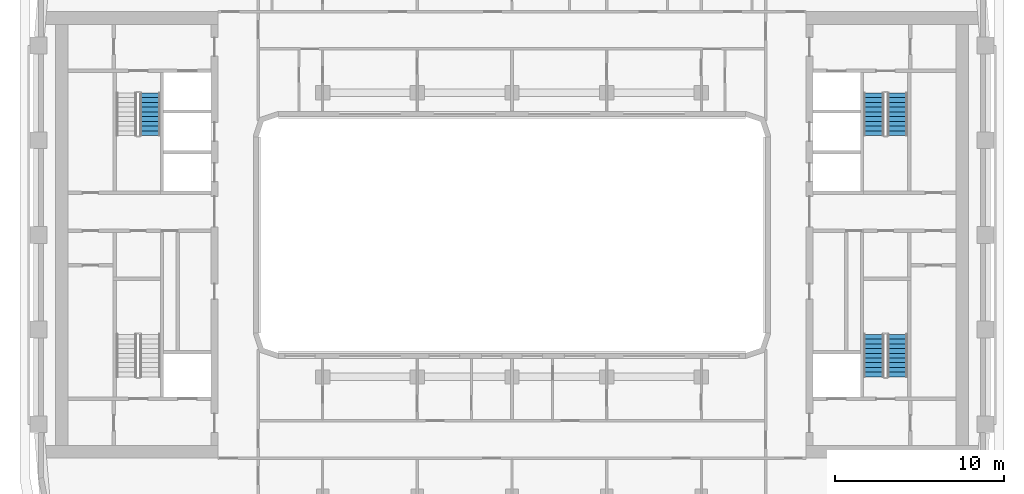
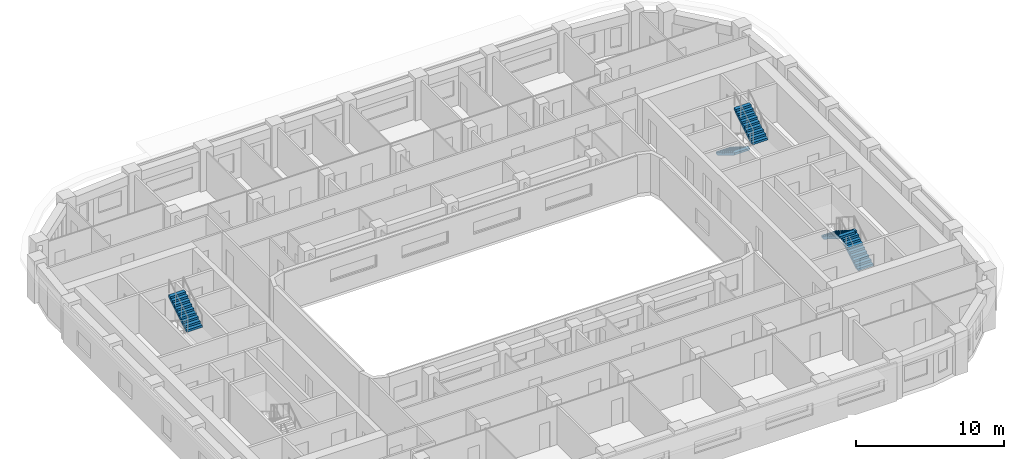
# One storey, part 10 of 22: 5 stair flights, 3 elements without a shape of their own.
"""IFC4 building model written with IfcOpenShell, lengths in metres."""

from ifc_helpers import new_model, si_unit, direction, frame, origin, place, context, subcontext, project, spatial, polyline, outline, extrude, material, type_object, element, aggregate, save


model = new_model("IFC4")

# Units and contexts
model_context = context("Model", 3, precision=1e-05, world=origin(), true_north=direction((0.0, 1.0)))
body_context = subcontext(model_context, "Body", "Model", "MODEL_VIEW")
ifc_project = project(units=[si_unit("LENGTHUNIT", "METRE"), si_unit("AREAUNIT", "SQUARE_METRE"), si_unit("VOLUMEUNIT", "CUBIC_METRE"), si_unit("PLANEANGLEUNIT", "RADIAN"), si_unit("MASSUNIT", "GRAM", prefix="KILO")], contexts=[model_context])

# Site, building, storey
site_placement = place(None, origin())
site = spatial("IfcSite", under=ifc_project, at=site_placement, CompositionType="ELEMENT")
building_placement = place(site_placement, origin())
building = spatial("IfcBuilding", under=site, at=building_placement, Name="Kiln Ring Residences", CompositionType="ELEMENT")
storey_placement = place(building_placement, frame((0.0, 0.0, 171.10009765625)))
storey = spatial("IfcBuildingStorey", under=building, at=storey_placement, Name="L44", CompositionType="ELEMENT", Elevation=171.10009765625)

# Stair, stair flight
ifc_material_1 = material(Name="Concrete C40/50", Category="concrete")
stair_type = type_object("IfcStairType", Name="CORE-STAIR", PredefinedType="HALF_TURN_STAIR", material=ifc_material_1)
placement = place(storey_placement, origin())
stair_1 = element("IfcStair", 1, at=placement, inside=storey, type_object=stair_type, Name="L44 stair W-STN", PredefinedType="HALF_TURN_STAIR")
ifc_material_2 = material(Name="Concrete C40/50", Category="concrete")
stair_flight_type = type_object("IfcStairFlightType", Name="CORE-STAIR-FLIGHT", PredefinedType="STRAIGHT", material=ifc_material_2)
stair_flight_1_placement = place(storey_placement, frame((-21.39990234375, 5.8798828125, 1.75), z_axis=(0.0, 0.0, 1.0), x_axis=(0.0, 1.0, 0.0)))
stair_flight_1 = element("IfcStairFlight", 2, at=stair_flight_1_placement, type_object=stair_flight_type, Name="W-STN flight 2", NumberOfRisers=10, NumberOfTreads=9, PredefinedType="STRAIGHT", RiserHeight=0.175, TreadLength=0.28, context=body_context, shape_type="SweptSolid", body=[
    extrude(outline(polyline([(0.0, 0.0), (0.0, 0.175048828125), (0.280029296875, 0.175048828125), (0.280029296875, 0.35009765625), (0.56005859375, 0.35009765625), (0.56005859375, 0.52490234375), (0.840087890625, 0.52490234375), (0.840087890625, 0.699951171875), (1.1201171875, 0.699951171875), (1.1201171875, 0.875), (1.39990234375, 0.875), (1.39990234375, 1.050048828125), (1.679931640625, 1.050048828125), (1.679931640625, 1.22509765625), (1.9599609375, 1.22509765625), (1.9599609375, 1.39990234375), (2.239990234375, 1.39990234375), (2.239990234375, 1.574951171875), (2.52001953125, 1.574951171875), (2.52001953125, 1.75), (2.52001953125, 1.398193359375), (0.28271484375, 0.0), (0.0, 0.0)])), frame((0.0, 0.60009765625, 0.0), z_axis=(0.0, -1.0, 0.0), x_axis=(1.0, 0.0, 0.0)), (0.0, 0.0, 1.0), 1.199951171875),
])
aggregate(stair_1, [stair_flight_1])

# Stair, stair flights
stair_2 = element("IfcStair", 3, at=placement, inside=storey, type_object=stair_type, Name="L44 stair E-STN", PredefinedType="HALF_TURN_STAIR")
stair_flight_2_placement = place(storey_placement, frame((21.39990234375, 8.39990234375, 0.0), z_axis=(0.0, 0.0, 1.0), x_axis=(0.0, -1.0, 0.0)))
stair_flight_2 = element("IfcStairFlight", 4, at=stair_flight_2_placement, type_object=stair_flight_type, Name="E-STN flight 1", NumberOfRisers=10, NumberOfTreads=9, PredefinedType="STRAIGHT", RiserHeight=0.175, TreadLength=0.28, context=body_context, shape_type="SweptSolid", body=[
    extrude(outline(polyline([(0.0, 0.0), (0.0, 0.175048828125), (0.280029296875, 0.175048828125), (0.280029296875, 0.35009765625), (0.56005859375, 0.35009765625), (0.56005859375, 0.52490234375), (0.840087890625, 0.52490234375), (0.840087890625, 0.699951171875), (1.1201171875, 0.699951171875), (1.1201171875, 0.875), (1.39990234375, 0.875), (1.39990234375, 1.050048828125), (1.679931640625, 1.050048828125), (1.679931640625, 1.22509765625), (1.9599609375, 1.22509765625), (1.9599609375, 1.39990234375), (2.239990234375, 1.39990234375), (2.239990234375, 1.574951171875), (2.52001953125, 1.574951171875), (2.52001953125, 1.75), (2.52001953125, 1.398193359375), (0.28271484375, 0.0), (0.0, 0.0)])), frame((0.0, 0.60009765625, 0.0), z_axis=(0.0, -1.0, 0.0), x_axis=(1.0, 0.0, 0.0)), (0.0, 0.0, 1.0), 1.199951171875),
])
stair_flight_3_placement = place(storey_placement, frame((22.800048828125, 5.8798828125, 1.75), z_axis=(0.0, 0.0, 1.0), x_axis=(0.0, 1.0, 0.0)))
stair_flight_3 = element("IfcStairFlight", 5, at=stair_flight_3_placement, type_object=stair_flight_type, Name="E-STN flight 2", NumberOfRisers=10, NumberOfTreads=9, PredefinedType="STRAIGHT", RiserHeight=0.175, TreadLength=0.28, context=body_context, shape_type="SweptSolid", body=[
    extrude(outline(polyline([(0.0, 0.0), (0.0, 0.175048828125), (0.280029296875, 0.175048828125), (0.280029296875, 0.35009765625), (0.56005859375, 0.35009765625), (0.56005859375, 0.52490234375), (0.840087890625, 0.52490234375), (0.840087890625, 0.699951171875), (1.1201171875, 0.699951171875), (1.1201171875, 0.875), (1.39990234375, 0.875), (1.39990234375, 1.050048828125), (1.679931640625, 1.050048828125), (1.679931640625, 1.22509765625), (1.9599609375, 1.22509765625), (1.9599609375, 1.39990234375), (2.239990234375, 1.39990234375), (2.239990234375, 1.574951171875), (2.52001953125, 1.574951171875), (2.52001953125, 1.75), (2.52001953125, 1.398193359375), (0.28271484375, 0.0), (0.0, 0.0)])), frame((0.0, 0.60009765625, 0.0), z_axis=(0.0, -1.0, 0.0), x_axis=(1.0, 0.0, 0.0)), (0.0, 0.0, 1.0), 1.199951171875),
])
aggregate(stair_2, [stair_flight_2, stair_flight_3])

stair_3 = element("IfcStair", 6, at=placement, inside=storey, type_object=stair_type, Name="L44 stair E-STS", PredefinedType="HALF_TURN_STAIR")
stair_flight_4_placement = place(storey_placement, frame((22.800048828125, -8.39990234375, 0.0), z_axis=(0.0, 0.0, 1.0), x_axis=(0.0, 1.0, 0.0)))
stair_flight_4 = element("IfcStairFlight", 7, at=stair_flight_4_placement, type_object=stair_flight_type, Name="E-STS flight 1", NumberOfRisers=10, NumberOfTreads=9, PredefinedType="STRAIGHT", RiserHeight=0.175, TreadLength=0.28, context=body_context, shape_type="SweptSolid", body=[
    extrude(outline(polyline([(0.0, 0.0), (0.0, 0.175048828125), (0.280029296875, 0.175048828125), (0.280029296875, 0.35009765625), (0.56005859375, 0.35009765625), (0.56005859375, 0.52490234375), (0.840087890625, 0.52490234375), (0.840087890625, 0.699951171875), (1.1201171875, 0.699951171875), (1.1201171875, 0.875), (1.39990234375, 0.875), (1.39990234375, 1.050048828125), (1.679931640625, 1.050048828125), (1.679931640625, 1.22509765625), (1.9599609375, 1.22509765625), (1.9599609375, 1.39990234375), (2.239990234375, 1.39990234375), (2.239990234375, 1.574951171875), (2.52001953125, 1.574951171875), (2.52001953125, 1.75), (2.52001953125, 1.398193359375), (0.28271484375, 0.0), (0.0, 0.0)])), frame((0.0, 0.60009765625, 0.0), z_axis=(0.0, -1.0, 0.0), x_axis=(1.0, 0.0, 0.0)), (0.0, 0.0, 1.0), 1.199951171875),
])
stair_flight_5_placement = place(storey_placement, frame((21.39990234375, -5.8798828125, 1.75), z_axis=(0.0, 0.0, 1.0), x_axis=(0.0, -1.0, 0.0)))
stair_flight_5 = element("IfcStairFlight", 8, at=stair_flight_5_placement, type_object=stair_flight_type, Name="E-STS flight 2", NumberOfRisers=10, NumberOfTreads=9, PredefinedType="STRAIGHT", RiserHeight=0.175, TreadLength=0.28, context=body_context, shape_type="SweptSolid", body=[
    extrude(outline(polyline([(0.0, 0.0), (0.0, 0.175048828125), (0.280029296875, 0.175048828125), (0.280029296875, 0.35009765625), (0.56005859375, 0.35009765625), (0.56005859375, 0.52490234375), (0.840087890625, 0.52490234375), (0.840087890625, 0.699951171875), (1.1201171875, 0.699951171875), (1.1201171875, 0.875), (1.39990234375, 0.875), (1.39990234375, 1.050048828125), (1.679931640625, 1.050048828125), (1.679931640625, 1.22509765625), (1.9599609375, 1.22509765625), (1.9599609375, 1.39990234375), (2.239990234375, 1.39990234375), (2.239990234375, 1.574951171875), (2.52001953125, 1.574951171875), (2.52001953125, 1.75), (2.52001953125, 1.398193359375), (0.28271484375, 0.0), (0.0, 0.0)])), frame((0.0, 0.60009765625, 0.0), z_axis=(0.0, -1.0, 0.0), x_axis=(1.0, 0.0, 0.0)), (0.0, 0.0, 1.0), 1.199951171875),
])
aggregate(stair_3, [stair_flight_4, stair_flight_5])

save(model, "model.ifc")
